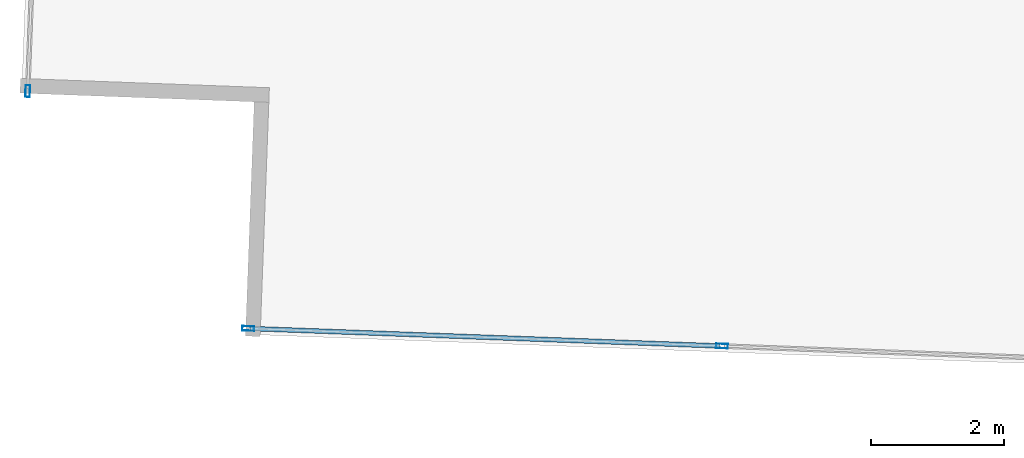
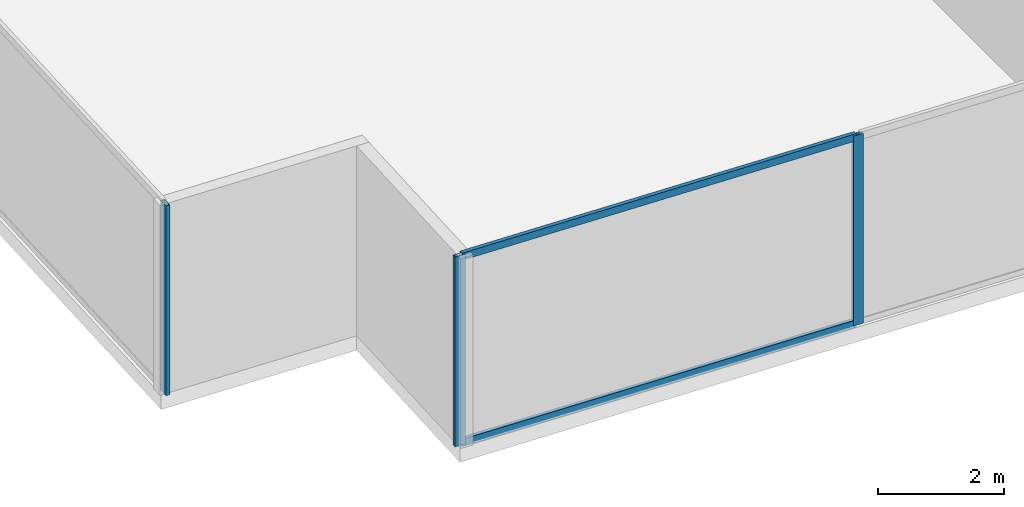
# One storey, part 2 of 30: 5 members, 2 elements without a shape of their own.
"""IFC4 building model written with IfcOpenShell, lengths in metres."""

from ifc_helpers import new_model, si_unit, direction, frame, origin, origin_2d, place, context, subcontext, project, spatial, hollow_rectangle, extrude, source, transform, mapped, material, material_profile, profile_set, type_object, type_shapes, element, aggregate, save


model = new_model("IFC4")

# Units and contexts
model_context = context("Model", 3, precision=1e-05, world=origin(), true_north=direction((0.0, 1.0)))
body_context = subcontext(model_context, "Body", "Model", "MODEL_VIEW")
ifc_project = project(units=[si_unit("LENGTHUNIT", "METRE"), si_unit("AREAUNIT", "SQUARE_METRE"), si_unit("VOLUMEUNIT", "CUBIC_METRE"), si_unit("PLANEANGLEUNIT", "RADIAN"), si_unit("MASSUNIT", "GRAM", prefix="KILO")], contexts=[model_context])

# Site, building, storey
site_placement = place(None, origin())
site = spatial("IfcSite", under=ifc_project, at=site_placement, CompositionType="ELEMENT")
building_placement = place(site_placement, origin())
building = spatial("IfcBuilding", under=site, at=building_placement, Name="Krantzveldt Concourse Tower", CompositionType="ELEMENT")
storey_placement = place(building_placement, frame((0.0, 0.0, 36.85009765625)))
storey = spatial("IfcBuildingStorey", under=building, at=storey_placement, Name="L08", CompositionType="ELEMENT", Elevation=36.85009765625)

# Curtain wall, member
ifc_material = material(Name="Anodised aluminium 6063-T6", Category="aluminium")
curtain_wall_type = type_object("IfcCurtainWallType", Name="CW2", PredefinedType="USERDEFINED", material=ifc_material)
curtain_wall_1_placement = place(storey_placement, origin())
curtain_wall_1 = element("IfcCurtainWall", 1, at=curtain_wall_1_placement, inside=storey, type_object=curtain_wall_type, Name="CW-L08-F01", ObjectType="UNITISED CURTAIN WALL", PredefinedType="USERDEFINED")
ifc_material_profile_1 = material_profile(ifc_material, hollow_rectangle(XDim=0.070068359375, YDim=0.179931640625, WallThickness=0.0048828125, at=origin_2d()), Name="Anodised aluminium 6063-T6", Category="aluminium")
ifc_profile_set_1 = profile_set([ifc_material_profile_1], Name="Anodised aluminium 6063-T6 - ALU-MULL 180x70x5")
member_type_1 = type_object("IfcMemberType", Name="CW-MUL-180", PredefinedType="MULLION", material=ifc_profile_set_1)
shared_shape_1 = source(origin(), body_context, "Body", "SweptSolid", [
    extrude(hollow_rectangle(XDim=0.070068359375, YDim=0.179931640625, WallThickness=0.0048828125, at=origin_2d()), origin(), (0.0, 0.0, 1.0), 3.669921875),
])
type_shapes(member_type_1, [shared_shape_1])
member_1_placement = place(storey_placement, frame((10.311279296875, 6.17333984375, 0.0), z_axis=(0.0, 0.0, 1.0), x_axis=(0.999312308986, -0.037079766834, 0.0)))
member_1 = element("IfcMember", 2, at=member_1_placement, type_object=member_type_1, Name="CW-Z12 mullion 7", PredefinedType="MULLION", context=body_context, shape_type="MappedRepresentation", body=[
    mapped(shared_shape_1, transform((0.0, 0.0, 0.0), x_axis=(1.0, 0.0, 0.0), y_axis=(0.0, 1.0, 0.0), z_axis=(0.0, 0.0, 1.0), scale=1.0)),
])
aggregate(curtain_wall_1, [member_1])

# Curtain wall, members
curtain_wall_2_placement = place(storey_placement, origin())
curtain_wall_2 = element("IfcCurtainWall", 3, at=curtain_wall_2_placement, inside=storey, type_object=curtain_wall_type, Name="CW-L08-F04", ObjectType="UNITISED CURTAIN WALL", PredefinedType="USERDEFINED")
member_2_placement = place(storey_placement, frame((13.626220703125, 2.60302734375, 0.0), z_axis=(0.0, 0.0, 1.0), x_axis=(0.037079766834, 0.999312308986, 0.0)))
member_2 = element("IfcMember", 4, at=member_2_placement, type_object=member_type_1, Name="CW-Z12 mullion 1", PredefinedType="MULLION", context=body_context, shape_type="MappedRepresentation", body=[
    mapped(shared_shape_1, transform((0.0, 0.0, 0.0), x_axis=(1.0, 0.0, 0.0), y_axis=(0.0, 1.0, 0.0), z_axis=(0.0, 0.0, 1.0), scale=1.0)),
])
member_3_placement = place(storey_placement, frame((20.7529296875, 2.338623046875, 0.0), z_axis=(0.0, 0.0, 1.0), x_axis=(0.037079766834, 0.999312308986, 0.0)))
member_3 = element("IfcMember", 5, at=member_3_placement, type_object=member_type_1, Name="CW-Z12 mullion 2", PredefinedType="MULLION", context=body_context, shape_type="MappedRepresentation", body=[
    mapped(shared_shape_1, transform((0.0, 0.0, 0.0), x_axis=(1.0, 0.0, 0.0), y_axis=(0.0, 1.0, 0.0), z_axis=(0.0, 0.0, 1.0), scale=1.0)),
])
ifc_material_profile_2 = material_profile(ifc_material, hollow_rectangle(XDim=0.070068359375, YDim=0.139892578125, WallThickness=0.0048828125, at=origin_2d()), Name="Anodised aluminium 6063-T6", Category="aluminium")
ifc_profile_set_2 = profile_set([ifc_material_profile_2], Name="Anodised aluminium 6063-T6 - ALU-TRAN 140x70x5")
member_type_2 = type_object("IfcMemberType", Name="CW-TRN-150", PredefinedType="USERDEFINED", material=ifc_profile_set_2)
shared_shape_2 = source(origin(), body_context, "Body", "SweptSolid", [
    extrude(hollow_rectangle(XDim=0.070068359375, YDim=0.139892578125, WallThickness=0.0048828125, at=origin_2d()), origin(), (0.0, 0.0, 1.0), 7.0615234375),
])
type_shapes(member_type_2, [shared_shape_2])
member_4_placement = place(storey_placement, frame((13.6611328125, 2.601806640625, 0.034912109375), z_axis=(0.999311656912, -0.037097336281, 0.0), x_axis=(0.037097336281, 0.999311656912, 0.0)))
member_4 = element("IfcMember", 6, at=member_4_placement, type_object=member_type_2, Name="CW-Z12 transom 1.1", ObjectType="TRANSOM", PredefinedType="USERDEFINED", context=body_context, shape_type="MappedRepresentation", body=[
    mapped(shared_shape_2, transform((0.0, 0.0, 0.0), x_axis=(1.0, 0.0, 0.0), y_axis=(0.0, 1.0, 0.0), z_axis=(0.0, 0.0, 1.0), scale=1.0)),
])
member_5_placement = place(storey_placement, frame((13.6611328125, 2.601806640625, 3.635009765625), z_axis=(0.999311656912, -0.037097336281, 0.0), x_axis=(0.037097336281, 0.999311656912, 0.0)))
member_5 = element("IfcMember", 7, at=member_5_placement, type_object=member_type_2, Name="CW-Z12 transom 1.2", ObjectType="TRANSOM", PredefinedType="USERDEFINED", context=body_context, shape_type="MappedRepresentation", body=[
    mapped(shared_shape_2, transform((0.0, 0.0, 0.0), x_axis=(1.0, 0.0, 0.0), y_axis=(0.0, 1.0, 0.0), z_axis=(0.0, 0.0, 1.0), scale=1.0)),
])
aggregate(curtain_wall_2, [member_2, member_3, member_4, member_5])

save(model, "model.ifc")
